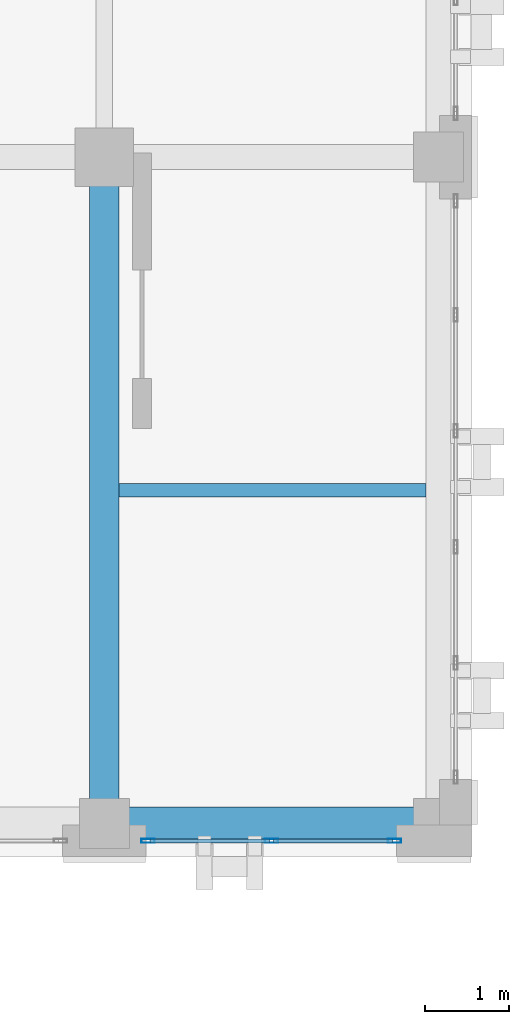
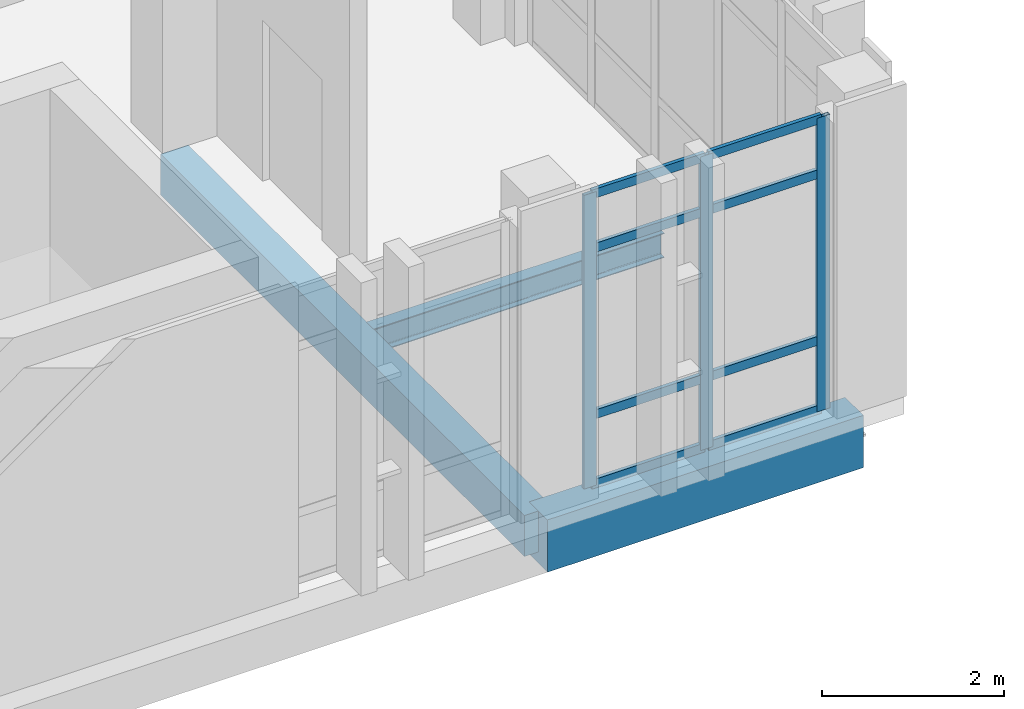
# One storey, part 3 of 90: 11 members, 3 beams, 1 element without a shape of its own.
"""IFC4 building model written with IfcOpenShell, lengths in metres."""

from ifc_helpers import new_model, si_unit, direction, frame, origin, origin_2d, place, context, subcontext, project, spatial, rectangle, hollow_rectangle, i_section, extrude, material, layer, layer_set, material_profile, profile_set, type_object, element, aggregate, save


model = new_model("IFC4")

# Units and contexts
model_context = context("Model", 3, precision=1e-05, world=origin(), true_north=direction((0.0, 1.0)))
body_context = subcontext(model_context, "Body", "Model", "MODEL_VIEW")
ifc_project = project(units=[si_unit("LENGTHUNIT", "METRE"), si_unit("AREAUNIT", "SQUARE_METRE"), si_unit("VOLUMEUNIT", "CUBIC_METRE"), si_unit("PLANEANGLEUNIT", "RADIAN"), si_unit("MASSUNIT", "GRAM", prefix="KILO")], contexts=[model_context])

# Site, building, storey
site_placement = place(None, origin())
site = spatial("IfcSite", under=ifc_project, at=site_placement, CompositionType="ELEMENT")
building_placement = place(site_placement, origin())
building = spatial("IfcBuilding", under=site, at=building_placement, Name="Qalavern Law Courts", CompositionType="ELEMENT")
storey_placement = place(building_placement, frame((0.0, 0.0, 22.800048828125)))
storey = spatial("IfcBuildingStorey", under=building, at=storey_placement, Name="L05", CompositionType="ELEMENT", Elevation=22.800048828125)

# Curtain wall, members
ifc_material_1 = material(Name="Anodised aluminium and insulated glazing", Category="aluminium")
ifc_layer = layer(ifc_material_1, 0.159912109375)
ifc_layer_set = layer_set([ifc_layer], Name="Anodised aluminium and insulated glazing")
curtain_wall_type = type_object("IfcCurtainWallType", Name="ENV-CW-CHAMB", PredefinedType="USERDEFINED", material=ifc_layer_set)
curtain_wall_placement = place(storey_placement, origin())
curtain_wall = element("IfcCurtainWall", 1, at=curtain_wall_placement, inside=storey, type_object=curtain_wall_type, Name="V3 unitised curtain wall L05 south 2", ObjectType="UNITISED CURTAIN WALL", PredefinedType="USERDEFINED")
ifc_material_2 = material(Name="Anodised aluminium", Category="aluminium")
ifc_material_profile_1 = material_profile(ifc_material_2, hollow_rectangle(XDim=0.048095703125, YDim=0.159912109375, WallThickness=0.00390625, at=origin_2d()), Name="ALU MULLION 48x160")
ifc_profile_set_1 = profile_set([ifc_material_profile_1], Name="Anodised aluminium")
member_type_1 = type_object("IfcMemberType", Name="ENV-CWM-48x160", PredefinedType="MULLION", material=ifc_profile_set_1)
member_1_placement = place(storey_placement, frame((14.924072265625, 41.21240234375, 0.0), z_axis=(0.0, 0.0, 1.0), x_axis=(0.0, 1.0, 0.0)))
member_1 = element("IfcMember", 2, at=member_1_placement, type_object=member_type_1, Name="CW-04 mullion 1", PredefinedType="MULLION", context=body_context, shape_type="SweptSolid", body=[
    extrude(hollow_rectangle(XDim=0.048095703125, YDim=0.159912109375, WallThickness=0.00390625, at=origin_2d()), origin(), (0.0, 0.0, 1.0), 3.929931640625),
])
member_2_placement = place(storey_placement, frame((16.39990234375, 41.21240234375, 0.0), z_axis=(0.0, 0.0, 1.0), x_axis=(0.0, 1.0, 0.0)))
member_2 = element("IfcMember", 3, at=member_2_placement, type_object=member_type_1, Name="CW-04 mullion 2", PredefinedType="MULLION", context=body_context, shape_type="SweptSolid", body=[
    extrude(hollow_rectangle(XDim=0.048095703125, YDim=0.159912109375, WallThickness=0.00390625, at=origin_2d()), origin(), (0.0, 0.0, 1.0), 3.929931640625),
])
member_3_placement = place(storey_placement, frame((17.8759765625, 41.21240234375, 0.0), z_axis=(0.0, 0.0, 1.0), x_axis=(0.0, 1.0, 0.0)))
member_3 = element("IfcMember", 4, at=member_3_placement, type_object=member_type_1, Name="CW-04 mullion 3", PredefinedType="MULLION", context=body_context, shape_type="SweptSolid", body=[
    extrude(hollow_rectangle(XDim=0.048095703125, YDim=0.159912109375, WallThickness=0.00390625, at=origin_2d()), origin(), (0.0, 0.0, 1.0), 3.929931640625),
])
ifc_material_profile_2 = material_profile(ifc_material_2, hollow_rectangle(XDim=0.048095703125, YDim=0.1201171875, WallThickness=0.00390625, at=origin_2d()), Name="ALU TRANSOM 48x120")
ifc_profile_set_2 = profile_set([ifc_material_profile_2], Name="Anodised aluminium")
member_type_2 = type_object("IfcMemberType", Name="ENV-CWT-48x120", PredefinedType="USERDEFINED", material=ifc_profile_set_2)
member_4_placement = place(storey_placement, frame((14.947998046875, 41.21240234375, 0.02392578125), z_axis=(1.0, 0.0, 0.0), x_axis=(0.0, 1.0, 0.0)))
member_4 = element("IfcMember", 5, at=member_4_placement, type_object=member_type_2, Name="CW-04 transom 1.1", ObjectType="TRANSOM", PredefinedType="USERDEFINED", context=body_context, shape_type="SweptSolid", body=[
    extrude(hollow_rectangle(XDim=0.048095703125, YDim=0.1201171875, WallThickness=0.00390625, at=origin_2d()), origin(), (0.0, 0.0, 1.0), 1.427978515625),
])
member_5_placement = place(storey_placement, frame((14.947998046875, 41.21240234375, 0.949951171875), z_axis=(1.0, 0.0, 0.0), x_axis=(0.0, 1.0, 0.0)))
member_5 = element("IfcMember", 6, at=member_5_placement, type_object=member_type_2, Name="CW-04 transom 1.2", ObjectType="TRANSOM", PredefinedType="USERDEFINED", context=body_context, shape_type="SweptSolid", body=[
    extrude(hollow_rectangle(XDim=0.048095703125, YDim=0.1201171875, WallThickness=0.00390625, at=origin_2d()), origin(), (0.0, 0.0, 1.0), 1.427978515625),
])
member_6_placement = place(storey_placement, frame((14.947998046875, 41.21240234375, 3.179931640625), z_axis=(1.0, 0.0, 0.0), x_axis=(0.0, 1.0, 0.0)))
member_6 = element("IfcMember", 7, at=member_6_placement, type_object=member_type_2, Name="CW-04 transom 1.3", ObjectType="TRANSOM", PredefinedType="USERDEFINED", context=body_context, shape_type="SweptSolid", body=[
    extrude(hollow_rectangle(XDim=0.048095703125, YDim=0.1201171875, WallThickness=0.00390625, at=origin_2d()), origin(), (0.0, 0.0, 1.0), 1.427978515625),
])
member_7_placement = place(storey_placement, frame((14.947998046875, 41.21240234375, 3.906005859375), z_axis=(1.0, 0.0, 0.0), x_axis=(0.0, 1.0, 0.0)))
member_7 = element("IfcMember", 8, at=member_7_placement, type_object=member_type_2, Name="CW-04 transom 1.4", ObjectType="TRANSOM", PredefinedType="USERDEFINED", context=body_context, shape_type="SweptSolid", body=[
    extrude(hollow_rectangle(XDim=0.048095703125, YDim=0.1201171875, WallThickness=0.00390625, at=origin_2d()), origin(), (0.0, 0.0, 1.0), 1.427978515625),
])
member_8_placement = place(storey_placement, frame((16.424072265625, 41.21240234375, 0.02392578125), z_axis=(1.0, 0.0, 0.0), x_axis=(0.0, 1.0, 0.0)))
member_8 = element("IfcMember", 9, at=member_8_placement, type_object=member_type_2, Name="CW-04 transom 2.1", ObjectType="TRANSOM", PredefinedType="USERDEFINED", context=body_context, shape_type="SweptSolid", body=[
    extrude(hollow_rectangle(XDim=0.048095703125, YDim=0.1201171875, WallThickness=0.00390625, at=origin_2d()), origin(), (0.0, 0.0, 1.0), 1.427978515625),
])
member_9_placement = place(storey_placement, frame((16.424072265625, 41.21240234375, 0.949951171875), z_axis=(1.0, 0.0, 0.0), x_axis=(0.0, 1.0, 0.0)))
member_9 = element("IfcMember", 10, at=member_9_placement, type_object=member_type_2, Name="CW-04 transom 2.2", ObjectType="TRANSOM", PredefinedType="USERDEFINED", context=body_context, shape_type="SweptSolid", body=[
    extrude(hollow_rectangle(XDim=0.048095703125, YDim=0.1201171875, WallThickness=0.00390625, at=origin_2d()), origin(), (0.0, 0.0, 1.0), 1.427978515625),
])
member_10_placement = place(storey_placement, frame((16.424072265625, 41.21240234375, 3.179931640625), z_axis=(1.0, 0.0, 0.0), x_axis=(0.0, 1.0, 0.0)))
member_10 = element("IfcMember", 11, at=member_10_placement, type_object=member_type_2, Name="CW-04 transom 2.3", ObjectType="TRANSOM", PredefinedType="USERDEFINED", context=body_context, shape_type="SweptSolid", body=[
    extrude(hollow_rectangle(XDim=0.048095703125, YDim=0.1201171875, WallThickness=0.00390625, at=origin_2d()), origin(), (0.0, 0.0, 1.0), 1.427978515625),
])
member_11_placement = place(storey_placement, frame((16.424072265625, 41.21240234375, 3.906005859375), z_axis=(1.0, 0.0, 0.0), x_axis=(0.0, 1.0, 0.0)))
member_11 = element("IfcMember", 12, at=member_11_placement, type_object=member_type_2, Name="CW-04 transom 2.4", ObjectType="TRANSOM", PredefinedType="USERDEFINED", context=body_context, shape_type="SweptSolid", body=[
    extrude(hollow_rectangle(XDim=0.048095703125, YDim=0.1201171875, WallThickness=0.00390625, at=origin_2d()), origin(), (0.0, 0.0, 1.0), 1.427978515625),
])
aggregate(curtain_wall, [member_1, member_2, member_3, member_4, member_5, member_6, member_7, member_8, member_9, member_10, member_11])

# Beams
ifc_material_3 = material(Name="Concrete C35/45", Category="concrete")
ifc_material_profile_3 = material_profile(ifc_material_3, rectangle(XDim=0.35009765625, YDim=0.550048828125, at=origin_2d()), Name="RC 350x550")
ifc_profile_set_3 = profile_set([ifc_material_profile_3], Name="Concrete C35/45")
beam_type_1 = type_object("IfcBeamType", Name="STR-BM-RC350x550", PredefinedType="BEAM", material=ifc_profile_set_3)
beam_1_placement = place(storey_placement, frame((14.39990234375, 41.419921875, -0.550048828125), z_axis=(0.0, 1.0, 0.0), x_axis=(-1.0, 0.0, 0.0)))
element("IfcBeam", 13, at=beam_1_placement, inside=storey, type_object=beam_type_1, Name="V3 Y-beam 2-1 L05", PredefinedType="BEAM", context=body_context, shape_type="SweptSolid", body=[
    extrude(rectangle(XDim=0.35009765625, YDim=0.550048828125, at=origin_2d()), origin(), (0.0, 0.0, 1.0), 7.97998046875),
])
ifc_material_4 = material(Name="Steel S355", Category="steel")
ifc_material_profile_4 = material_profile(ifc_material_4, i_section(OverallWidth=0.159912109375, OverallDepth=0.330078125, WebThickness=0.007568359375, FlangeThickness=0.011474609375, FilletRadius=0.01806640625, at=origin_2d()), Name="IPE 330")
ifc_profile_set_4 = profile_set([ifc_material_profile_4], Name="Steel S355")
beam_type_2 = type_object("IfcBeamType", Name="STR-JST-IPE330", PredefinedType="JOIST", material=ifc_profile_set_4)
beam_2_placement = place(storey_placement, frame((14.572998046875, 45.409912109375, -0.43994140625), z_axis=(1.0, 0.0, 0.0), x_axis=(0.0, 1.0, 0.0)))
element("IfcBeam", 14, at=beam_2_placement, inside=storey, type_object=beam_type_2, Name="V3 secondary joist 2.1.1 L05", PredefinedType="JOIST", context=body_context, shape_type="SweptSolid", body=[
    extrude(i_section(OverallWidth=0.159912109375, OverallDepth=0.330078125, WebThickness=0.007568359375, FlangeThickness=0.011474609375, FilletRadius=0.01806640625, at=origin_2d()), origin(), (0.0, 0.0, 1.0), 3.678955078125),
])
ifc_material_5 = material(Name="Concrete C40/50", Category="concrete")
ifc_material_profile_5 = material_profile(ifc_material_5, rectangle(XDim=0.39990234375, YDim=0.699951171875, at=origin_2d()), Name="RC 400x700")
ifc_profile_set_5 = profile_set([ifc_material_profile_5], Name="Concrete C40/50")
beam_type_3 = type_object("IfcBeamType", Name="STR-SP-RC400x700", PredefinedType="SPANDREL", material=ifc_profile_set_5)
beam_3_placement = place(storey_placement, frame((14.39990234375, 41.419921875, -0.625), z_axis=(1.0, 0.0, 0.0), x_axis=(0.0, 1.0, 0.0)))
element("IfcBeam", 15, at=beam_3_placement, inside=storey, type_object=beam_type_3, Name="V3 X-beam 1-2 L05", PredefinedType="SPANDREL", context=body_context, shape_type="SweptSolid", body=[
    extrude(rectangle(XDim=0.39990234375, YDim=0.699951171875, at=origin_2d()), origin(), (0.0, 0.0, 1.0), 4.0),
])

save(model, "model.ifc")
